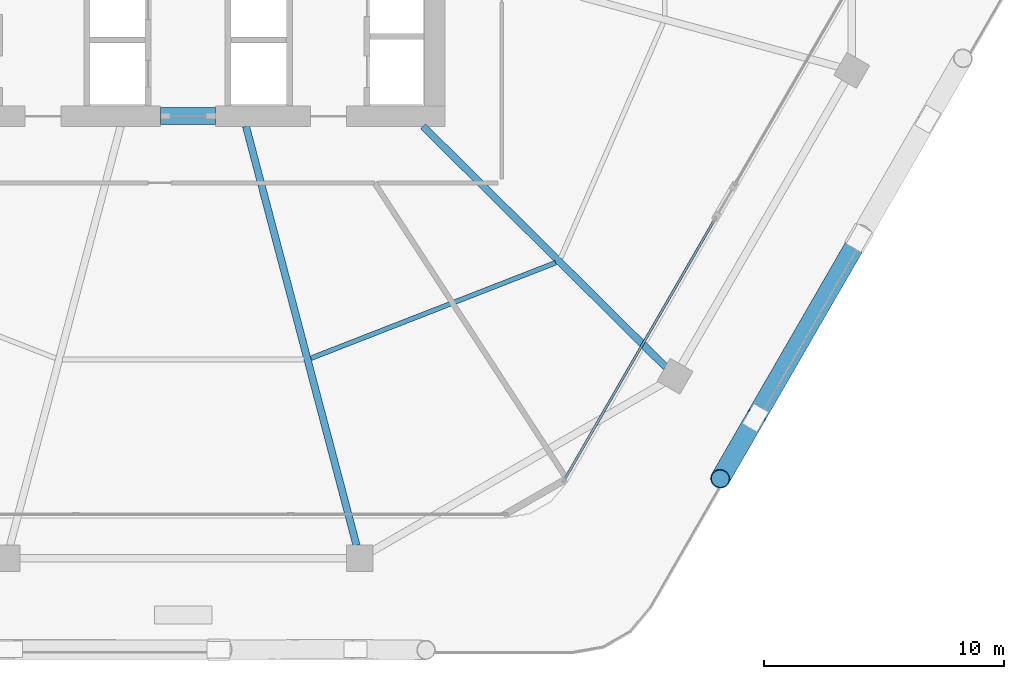
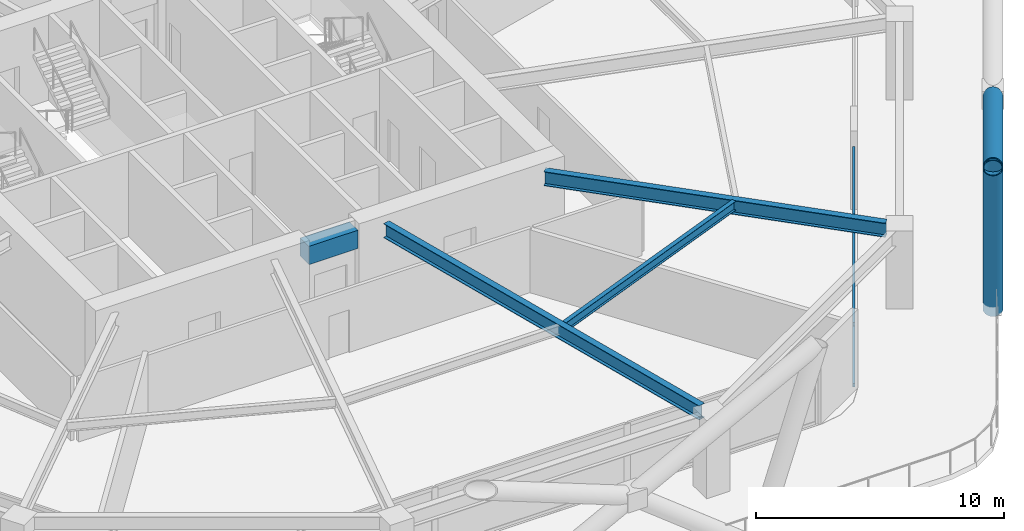
# One storey, part 9 of 28: 4 beams, 4 members, 1 element without a shape of its own.
"""IFC4 building model written with IfcOpenShell, lengths in metres."""

from ifc_helpers import new_model, si_unit, direction, frame, origin, origin_2d, place, context, subcontext, project, spatial, rectangle, hollow_rectangle, hollow_circle, i_section, extrude, material, material_profile, profile_set, type_object, element, aggregate, save


model = new_model("IFC4")

# Units and contexts
model_context = context("Model", 3, precision=1e-05, world=origin(), true_north=direction((0.0, 1.0)))
body_context = subcontext(model_context, "Body", "Model", "MODEL_VIEW")
ifc_project = project(units=[si_unit("LENGTHUNIT", "METRE"), si_unit("AREAUNIT", "SQUARE_METRE"), si_unit("VOLUMEUNIT", "CUBIC_METRE"), si_unit("PLANEANGLEUNIT", "RADIAN"), si_unit("MASSUNIT", "GRAM", prefix="KILO")], contexts=[model_context])

# Site, building, storey
site_placement = place(None, origin())
site = spatial("IfcSite", under=ifc_project, at=site_placement, CompositionType="ELEMENT")
building_placement = place(site_placement, origin())
building = spatial("IfcBuilding", under=site, at=building_placement, Name="Zuhravey Tower", CompositionType="ELEMENT")
storey_placement = place(building_placement, frame((0.0, 0.0, 83.39990234375)))
storey = spatial("IfcBuildingStorey", under=building, at=storey_placement, Name="L20", CompositionType="ELEMENT", Elevation=83.39990234375)

# Beam
ifc_material_1 = material(Name="Concrete C60/75", Category="concrete")
ifc_material_profile_1 = material_profile(ifc_material_1, rectangle(XDim=0.699951171875, YDim=0.89990234375, at=origin_2d()), Name="RC-700x900")
ifc_profile_set_1 = profile_set([ifc_material_profile_1], Name="Concrete C60/75")
beam_type_1 = type_object("IfcBeamType", Name="Core Coupling Beam RC700x900", PredefinedType="LINTEL", material=ifc_profile_set_1)
beam_1_placement = place(storey_placement, frame((35.052001953125, 22.5, 3.400146484375), z_axis=(1.0, 0.0, 0.0), x_axis=(0.0, 1.0, 0.0)))
element("IfcBeam", 1, at=beam_1_placement, inside=storey, type_object=beam_type_1, Name="L20 CB1 BM-L20-CB-S", PredefinedType="LINTEL", context=body_context, shape_type="SweptSolid", body=[
    extrude(rectangle(XDim=0.699951171875, YDim=0.89990234375, at=origin_2d()), origin(), (0.0, 0.0, 1.0), 2.2958984375),
])

# Members
ifc_material_2 = material(Name="Steel SM460", Category="steel")
ifc_material_profile_2 = material_profile(ifc_material_2, hollow_circle(Radius=0.406494140625, WallThickness=0.035888671875, at=origin_2d()), Name="CHS-812.8x36")
ifc_profile_set_2 = profile_set([ifc_material_profile_2], Name="Steel SM460")
member_type_1 = type_object("IfcMemberType", Name="Exoskeleton Zone 1 Diagrid CHS813x36", PredefinedType="BRACE", material=ifc_profile_set_2)
member_1_placement = place(storey_placement, frame((59.868408203125, 9.904541015625, -0.471923828125), z_axis=(-0.154911570168, -0.268363565529, 0.950780417407), x_axis=(0.866064817651, -0.499931726966, 0.0)))
element("IfcMember", 2, at=member_1_placement, inside=storey, type_object=member_type_1, Name="L20 Face 6 Diagrid Brace 1", PredefinedType="BRACE", context=body_context, shape_type="SweptSolid", body=[
    extrude(hollow_circle(Radius=0.406494140625, WallThickness=0.035888671875, at=origin_2d()), origin(), (0.0, 0.0, 1.0), 9.451171875),
])
member_2_placement = place(storey_placement, frame((64.02001953125, 17.094970703125, 4.164794921875), z_axis=(-0.465993155962, -0.807123886857, 0.362493323886), x_axis=(0.866025421154, -0.499999969915, 0.0)))
element("IfcMember", 3, at=member_2_placement, inside=storey, type_object=member_type_1, Name="L20 Face 6 Split Diagrid Brace 3B", PredefinedType="BRACE", context=body_context, shape_type="SweptSolid", body=[
    extrude(hollow_circle(Radius=0.406494140625, WallThickness=0.035888671875, at=origin_2d()), origin(), (0.0, 0.0, 1.0), 12.01123046875),
])

# Beams
ifc_material_3 = material(Name="Steel SM355", Category="steel")
ifc_material_profile_3 = material_profile(ifc_material_3, i_section(OverallWidth=0.300048828125, OverallDepth=0.699951171875, WebThickness=0.012939453125, FlangeThickness=0.02392578125, at=origin_2d()), Name="H-700x300x13x24")
ifc_profile_set_3 = profile_set([ifc_material_profile_3], Name="Steel SM355")
beam_type_2 = type_object("IfcBeamType", Name="Radial Primary Girder H700x300", PredefinedType="BEAM", material=ifc_profile_set_3)
beam_2_placement = place(storey_placement, frame((38.617919921875, 22.072021484375, 3.5), z_axis=(0.254987019627, -0.96694447608, 0.0), x_axis=(0.96694447608, 0.254987019627, 0.0)))
element("IfcBeam", 4, at=beam_2_placement, inside=storey, type_object=beam_type_2, Name="L20 RG1 BM-L20-RAD-10", PredefinedType="BEAM", context=body_context, shape_type="SweptSolid", body=[
    extrude(i_section(OverallWidth=0.300048828125, OverallDepth=0.699951171875, WebThickness=0.012939453125, FlangeThickness=0.02392578125, at=origin_2d()), origin(), (0.0, 0.0, 1.0), 18.08349609375),
])
beam_3_placement = place(storey_placement, frame((46.007080078125, 22.072021484375, 3.5), z_axis=(0.709901518563, -0.704300954097, 0.0), x_axis=(0.704300954097, 0.709901518563, 0.0)))
element("IfcBeam", 5, at=beam_3_placement, inside=storey, type_object=beam_type_2, Name="L20 RG1 BM-L20-RAD-11", PredefinedType="BEAM", context=body_context, shape_type="SweptSolid", body=[
    extrude(i_section(OverallWidth=0.300048828125, OverallDepth=0.699951171875, WebThickness=0.012939453125, FlangeThickness=0.02392578125, at=origin_2d()), origin(), (0.0, 0.0, 1.0), 14.254638671875),
])
ifc_material_profile_4 = material_profile(ifc_material_3, i_section(OverallWidth=0.199951171875, OverallDepth=0.449951171875, WebThickness=0.009033203125, FlangeThickness=0.013916015625, at=origin_2d()), Name="H-450x200x9x14")
ifc_profile_set_4 = profile_set([ifc_material_profile_4], Name="Steel SM355")
beam_type_3 = type_object("IfcBeamType", Name="Secondary Floor Joist H450x200", PredefinedType="JOIST", material=ifc_profile_set_4)
beam_4_placement = place(storey_placement, frame((41.32763671875, 12.39697265625, 3.625), z_axis=(0.931516535886, 0.363698973562, 0.0), x_axis=(-0.363698973562, 0.931516535886, 0.0)))
element("IfcBeam", 6, at=beam_4_placement, inside=storey, type_object=beam_type_3, Name="L20 SJ1 BM-L20-SJ-10-1", PredefinedType="JOIST", context=body_context, shape_type="SweptSolid", body=[
    extrude(i_section(OverallWidth=0.199951171875, OverallDepth=0.449951171875, WebThickness=0.009033203125, FlangeThickness=0.013916015625, at=origin_2d()), origin(), (0.0, 0.0, 1.0), 10.963134765625),
])

# Curtain wall, members
ifc_material_4 = material(Name="Thermally broken anodised aluminium", Category="aluminium")
curtain_wall_type = type_object("IfcCurtainWallType", Name="Sky-Playground Recessed Curtain Wall CW2", PredefinedType="NOTDEFINED", material=ifc_material_4)
curtain_wall_placement = place(storey_placement, origin())
curtain_wall = element("IfcCurtainWall", 7, at=curtain_wall_placement, inside=storey, type_object=curtain_wall_type, Name="L20 CW2 CW-L20-F6-2", PredefinedType="NOTDEFINED")
ifc_material_5 = material(Name="Anodised aluminium", Category="aluminium")
ifc_material_profile_5 = material_profile(ifc_material_5, hollow_rectangle(XDim=0.10009765625, YDim=0.179931640625, WallThickness=0.006103515625, at=origin_2d()), Name="ALU-RHS-100x180x6")
ifc_profile_set_5 = profile_set([ifc_material_profile_5], Name="Anodised aluminium")
member_type_2 = type_object("IfcMemberType", Name="Tall-Storey Transom 100x180", PredefinedType="USERDEFINED", material=ifc_profile_set_5)
member_3_placement = place(storey_placement, frame((58.135498046875, 18.123046875, 0.050048828125), z_axis=(-0.499995303914, -0.866028115054, 0.0), x_axis=(0.866028115054, -0.499995303914, 0.0)))
member_3 = element("IfcMember", 8, at=member_3_placement, type_object=member_type_2, Name="CW2 transom 1.1", ObjectType="TRANSOM", PredefinedType="USERDEFINED", context=body_context, shape_type="SweptSolid", body=[
    extrude(hollow_rectangle(XDim=0.10009765625, YDim=0.179931640625, WallThickness=0.006103515625, at=origin_2d()), origin(), (0.0, 0.0, 1.0), 12.392578125),
])
member_4_placement = place(storey_placement, frame((58.135498046875, 18.123046875, 3.050048828125), z_axis=(-0.499995303914, -0.866028115054, 0.0), x_axis=(0.866028115054, -0.499995303914, 0.0)))
member_4 = element("IfcMember", 9, at=member_4_placement, type_object=member_type_2, Name="CW2 transom 1.2", ObjectType="TRANSOM", PredefinedType="USERDEFINED", context=body_context, shape_type="SweptSolid", body=[
    extrude(hollow_rectangle(XDim=0.10009765625, YDim=0.179931640625, WallThickness=0.006103515625, at=origin_2d()), origin(), (0.0, 0.0, 1.0), 12.392578125),
])
aggregate(curtain_wall, [member_3, member_4])

save(model, "model.ifc")
